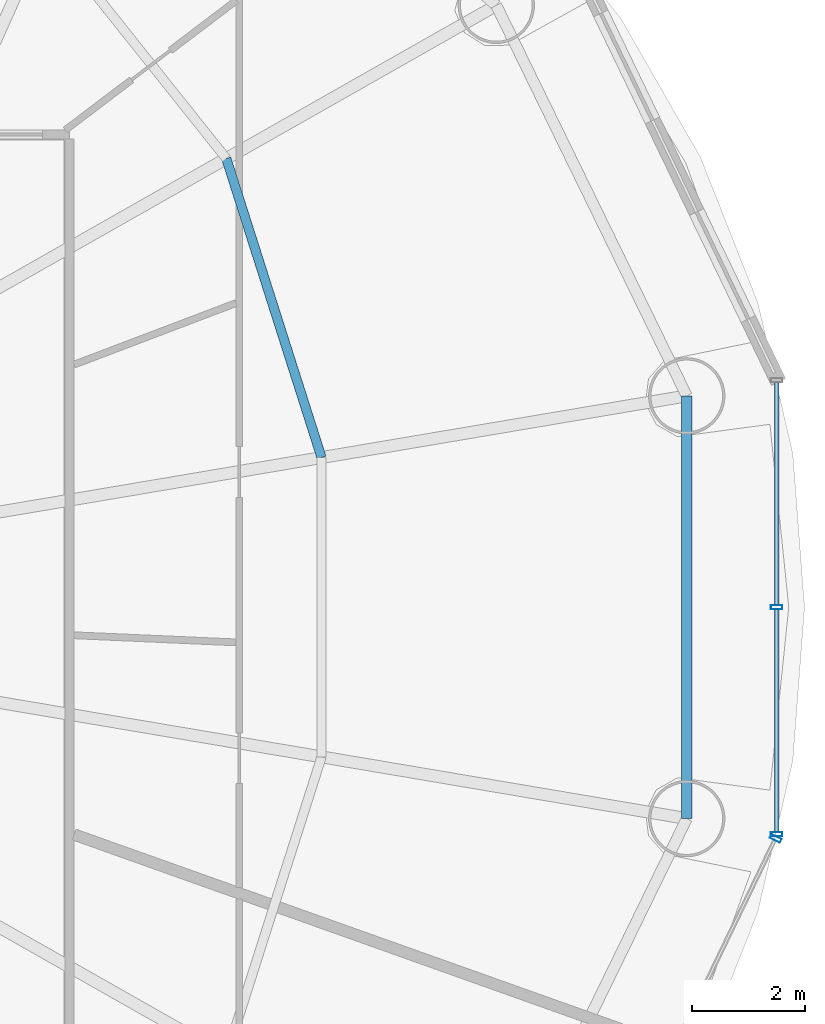
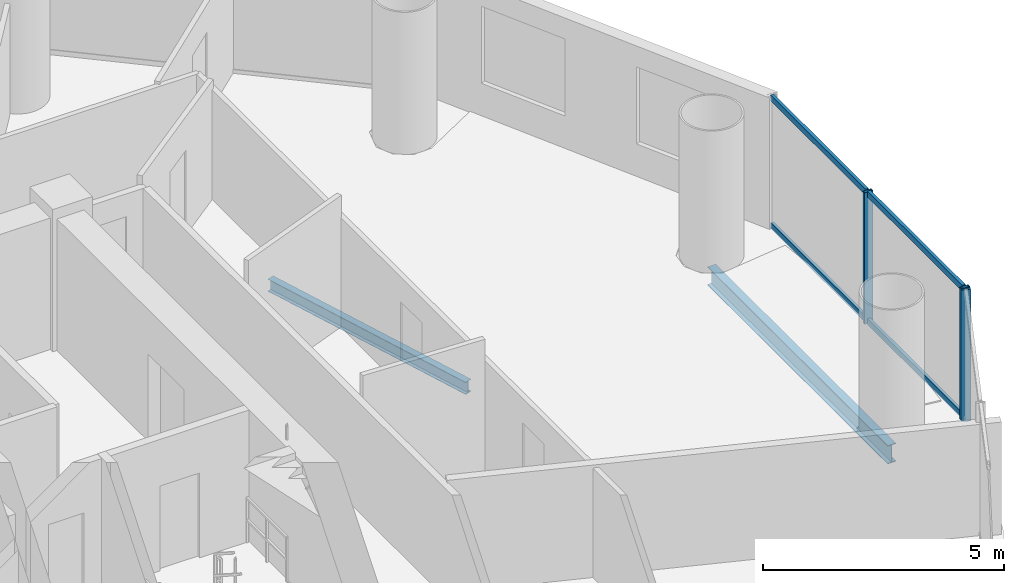
# One storey, part 12 of 26: 7 members, 2 beams, 2 elements without a shape of their own.
"""IFC4 building model written with IfcOpenShell, lengths in metres."""

from ifc_helpers import new_model, si_unit, direction, frame, origin, origin_2d, place, context, subcontext, project, spatial, hollow_rectangle, i_section, extrude, source, transform, mapped, material, material_profile, profile_set, type_object, element, aggregate, save


model = new_model("IFC4")

# Units and contexts
model_context = context("Model", 3, precision=1e-05, world=origin(), true_north=direction((-0.2419218956, 0.970295726276)))
body_context = subcontext(model_context, "Body", "Model", "MODEL_VIEW")
ifc_project = project(units=[si_unit("LENGTHUNIT", "METRE"), si_unit("AREAUNIT", "SQUARE_METRE"), si_unit("VOLUMEUNIT", "CUBIC_METRE"), si_unit("PLANEANGLEUNIT", "RADIAN"), si_unit("MASSUNIT", "GRAM", prefix="KILO")], contexts=[model_context])

# Site, building, storey
site_placement = place(None, origin())
site = spatial("IfcSite", under=ifc_project, at=site_placement, CompositionType="ELEMENT")
building_placement = place(site_placement, origin())
building = spatial("IfcBuilding", under=site, at=building_placement, Name="Cobrevalo Terracotta Tower", CompositionType="ELEMENT")
storey_placement = place(building_placement, frame((0.0, 0.0, 178.60009765625)))
storey = spatial("IfcBuildingStorey", under=building, at=storey_placement, Name="L47", CompositionType="ELEMENT", Elevation=178.60009765625)

# Beams
ifc_material_1 = material(Name="Steel S355", Category="steel")
ifc_material_profile_1 = material_profile(ifc_material_1, i_section(OverallWidth=0.1650390625, OverallDepth=0.31005859375, WebThickness=0.005859375, FlangeThickness=0.009765625, at=origin_2d()), Name="W 310x38.7")
ifc_profile_set_1 = profile_set([ifc_material_profile_1], Name="Steel S355")
beam_type_1 = type_object("IfcBeamType", Name="Structural Joist W 310x38.7 (Steel S355)", PredefinedType="JOIST", material=ifc_profile_set_1)
beam_1_placement = place(storey_placement, frame((53.660888671875, 29.445556640625, -0.425048828125), z_axis=(-0.303497928386, 0.952832098255, 0.0), x_axis=(-0.952832098255, -0.303497928386, 0.0)))
element("IfcBeam", 1, at=beam_1_placement, inside=storey, type_object=beam_type_1, Name="L47 circumferential secondary floor joist 01", PredefinedType="JOIST", context=body_context, shape_type="SweptSolid", body=[
    extrude(i_section(OverallWidth=0.1650390625, OverallDepth=0.31005859375, WebThickness=0.005859375, FlangeThickness=0.009765625, at=origin_2d()), origin(), (0.0, 0.0, 1.0), 5.54736328125),
])
ifc_material_profile_2 = material_profile(ifc_material_1, i_section(OverallWidth=0.194091796875, OverallDepth=0.468994140625, WebThickness=0.011474609375, FlangeThickness=0.0205078125, at=origin_2d()), Name="W 460x106")
ifc_profile_set_2 = profile_set([ifc_material_profile_2], Name="Steel S355")
beam_type_2 = type_object("IfcBeamType", Name="Structural Spandrel W 460x106 (Steel S355)", PredefinedType="SPANDREL", material=ifc_profile_set_2)
beam_2_placement = place(storey_placement, frame((60.11669921875, 23.06396484375, -0.504638671875), z_axis=(0.0, 1.0, 0.0), x_axis=(-1.0, 0.0, 0.0)))
element("IfcBeam", 2, at=beam_2_placement, inside=storey, type_object=beam_type_2, Name="L47 perimeter ring spandrel 16", PredefinedType="SPANDREL", context=body_context, shape_type="SweptSolid", body=[
    extrude(i_section(OverallWidth=0.194091796875, OverallDepth=0.468994140625, WebThickness=0.011474609375, FlangeThickness=0.0205078125, at=origin_2d()), origin(), (0.0, 0.0, 1.0), 7.471923828125),
])

# Curtain wall, members
ifc_material_2 = material(Name="Anodized aluminium", Category="aluminium")
curtain_wall_type = type_object("IfcCurtainWallType", Name="Mid-tower high-wind unitised curtain wall CW-U2", PredefinedType="NOTDEFINED", material=ifc_material_2)
curtain_wall_1_placement = place(storey_placement, origin())
curtain_wall_1 = element("IfcCurtainWall", 3, at=curtain_wall_1_placement, inside=storey, type_object=curtain_wall_type, Name="L47 curtain wall CW-L47-S16", PredefinedType="NOTDEFINED")
ifc_material_profile_3 = material_profile(ifc_material_2, hollow_rectangle(XDim=0.074951171875, YDim=0.14990234375, WallThickness=0.00439453125, at=origin_2d()), Name="CWT 75x150")
ifc_profile_set_3 = profile_set([ifc_material_profile_3], Name="Anodized aluminium")
member_type_1 = type_object("IfcMemberType", Name="Tower unitised aluminium transom 75x150", PredefinedType="USERDEFINED", material=ifc_profile_set_3)
shared_shape_1 = source(origin(), body_context, "Body", "SweptSolid", [
    extrude(hollow_rectangle(XDim=0.074951171875, YDim=0.14990234375, WallThickness=0.00439453125, at=origin_2d()), origin(), (0.0, 0.0, 1.0), 3.931884765625),
])
member_1_placement = place(storey_placement, frame((61.70556640625, 26.840087890625, 0.0498046875), z_axis=(0.0, 1.0, 0.0), x_axis=(-1.0, 0.0, 0.0)))
member_1 = element("IfcMember", 4, at=member_1_placement, type_object=member_type_1, Name="CW-L47-S16 transom B02-T1", ObjectType="TRANSOM", PredefinedType="USERDEFINED", context=body_context, shape_type="MappedRepresentation", body=[
    mapped(shared_shape_1, transform((0.0, 0.0, 0.0), scale=1.0)),
])
member_2_placement = place(storey_placement, frame((61.70556640625, 26.840087890625, 3.27978515625), z_axis=(0.0, 1.0, 0.0), x_axis=(-1.0, 0.0, 0.0)))
member_2 = element("IfcMember", 5, at=member_2_placement, type_object=member_type_1, Name="CW-L47-S16 transom B02-T2", ObjectType="TRANSOM", PredefinedType="USERDEFINED", context=body_context, shape_type="MappedRepresentation", body=[
    mapped(shared_shape_1, transform((0.0, 0.0, 0.0), scale=1.0)),
])
shared_shape_2 = source(origin(), body_context, "Body", "SweptSolid", [
    extrude(hollow_rectangle(XDim=0.074951171875, YDim=0.14990234375, WallThickness=0.00439453125, at=origin_2d()), origin(), (0.0, 0.0, 1.0), 3.93212890625),
])
member_3_placement = place(storey_placement, frame((61.70556640625, 22.827880859375, 0.0498046875), z_axis=(0.0, 1.0, 0.0), x_axis=(-1.0, 0.0, 0.0)))
member_3 = element("IfcMember", 6, at=member_3_placement, type_object=member_type_1, Name="CW-L47-S16 transom B01-T1", ObjectType="TRANSOM", PredefinedType="USERDEFINED", context=body_context, shape_type="MappedRepresentation", body=[
    mapped(shared_shape_2, transform((0.0, 0.0, 0.0), scale=1.0)),
])
member_4_placement = place(storey_placement, frame((61.70556640625, 22.827880859375, 3.27978515625), z_axis=(0.0, 1.0, 0.0), x_axis=(-1.0, 0.0, 0.0)))
member_4 = element("IfcMember", 7, at=member_4_placement, type_object=member_type_1, Name="CW-L47-S16 transom B01-T2", ObjectType="TRANSOM", PredefinedType="USERDEFINED", context=body_context, shape_type="MappedRepresentation", body=[
    mapped(shared_shape_2, transform((0.0, 0.0, 0.0), scale=1.0)),
])

# Curtain wall, member
curtain_wall_2_placement = place(storey_placement, origin())
curtain_wall_2 = element("IfcCurtainWall", 8, at=curtain_wall_2_placement, inside=storey, type_object=curtain_wall_type, Name="L47 curtain wall CW-L47-S15", PredefinedType="NOTDEFINED")
ifc_material_profile_4 = material_profile(ifc_material_2, hollow_rectangle(XDim=0.074951171875, YDim=0.199951171875, WallThickness=0.0048828125, at=origin_2d()), Name="CWM 75x200")
ifc_profile_set_4 = profile_set([ifc_material_profile_4], Name="Anodized aluminium")
member_type_2 = type_object("IfcMemberType", Name="Lower/mid tower unitised mullion 75x200", PredefinedType="MULLION", material=ifc_profile_set_4)
shared_shape_3 = source(origin(), body_context, "Body", "SweptSolid", [
    extrude(hollow_rectangle(XDim=0.074951171875, YDim=0.199951171875, WallThickness=0.0048828125, at=origin_2d()), origin(), (0.0, 0.0, 1.0), 3.329833984375),
])
member_5_placement = place(storey_placement, frame((61.688232421875, 22.7119140625, 0.0), z_axis=(0.0, 0.0, 1.0), x_axis=(0.434209440271, 0.900811945957, 0.0)))
member_5 = element("IfcMember", 9, at=member_5_placement, type_object=member_type_2, Name="CW-L47-S15 vertical mullion 03", PredefinedType="MULLION", context=body_context, shape_type="MappedRepresentation", body=[
    mapped(shared_shape_3, transform((0.0, 0.0, 0.0), scale=1.0)),
])
aggregate(curtain_wall_2, [member_5])

# Member
member_6_placement = place(storey_placement, frame((61.70556640625, 22.7880859375, 0.0), z_axis=(0.0, 0.0, 1.0), x_axis=(0.0, 1.0, 0.0)))
member_6 = element("IfcMember", 10, at=member_6_placement, type_object=member_type_2, Name="CW-L47-S16 vertical mullion 01", PredefinedType="MULLION", context=body_context, shape_type="MappedRepresentation", body=[
    mapped(shared_shape_3, transform((0.0, 0.0, 0.0), scale=1.0)),
])

member_7_placement = place(storey_placement, frame((61.70556640625, 26.800048828125, 0.0), z_axis=(0.0, 0.0, 1.0), x_axis=(0.0, 1.0, 0.0)))
member_7 = element("IfcMember", 11, at=member_7_placement, type_object=member_type_2, Name="CW-L47-S16 vertical mullion 02", PredefinedType="MULLION", context=body_context, shape_type="MappedRepresentation", body=[
    mapped(shared_shape_3, transform((0.0, 0.0, 0.0), scale=1.0)),
])

aggregate(curtain_wall_1, [member_6, member_7, member_3, member_4, member_1, member_2])

save(model, "model.ifc")
